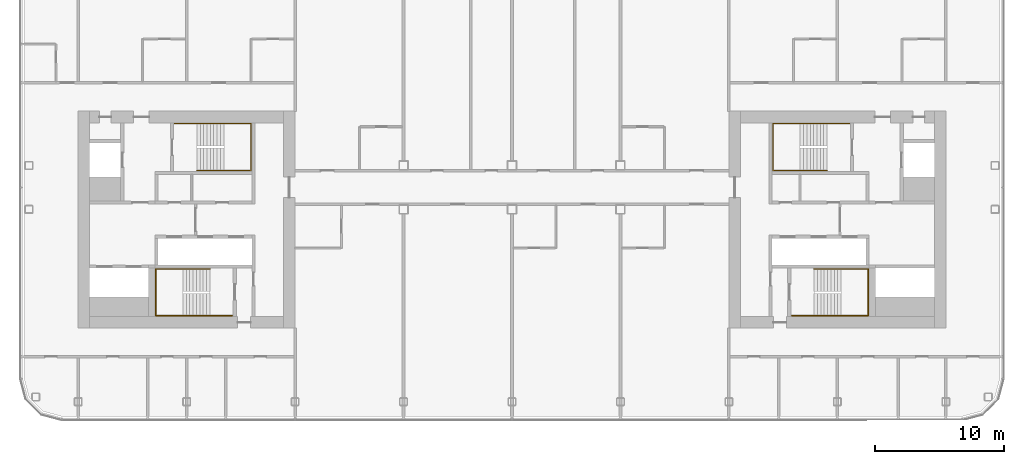
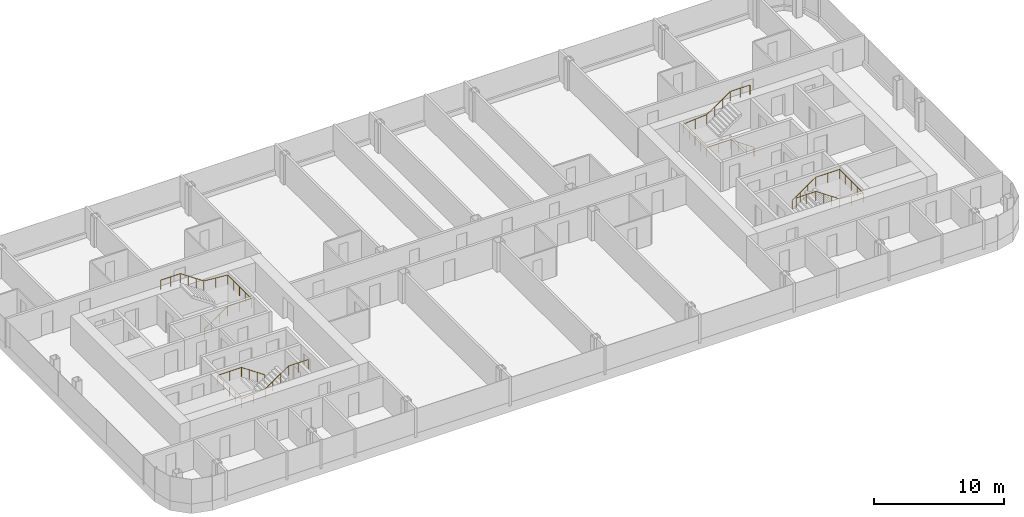
# One storey, part 25 of 25: 4 railings.
"""IFC4 building model written with IfcOpenShell, lengths in metres."""

from ifc_helpers import new_model, si_unit, direction, frame, origin, origin_2d, place, context, subcontext, project, spatial, circle, extrude, material, type_object, element, save


model = new_model("IFC4")

# Units and contexts
model_context = context("Model", 3, precision=1e-05, world=origin(), true_north=direction((0.0, 1.0)))
body_context = subcontext(model_context, "Body", "Model", "MODEL_VIEW")
ifc_project = project(units=[si_unit("LENGTHUNIT", "METRE"), si_unit("AREAUNIT", "SQUARE_METRE"), si_unit("VOLUMEUNIT", "CUBIC_METRE"), si_unit("PLANEANGLEUNIT", "RADIAN"), si_unit("MASSUNIT", "GRAM", prefix="KILO")], contexts=[model_context])

# Site, building, storey
site_placement = place(None, origin())
site = spatial("IfcSite", under=ifc_project, at=site_placement, CompositionType="ELEMENT")
building_placement = place(site_placement, origin())
building = spatial("IfcBuilding", under=site, at=building_placement, Name="Hakoniwa Tower and Hamabe Station Hall", CompositionType="ELEMENT")
storey_placement = place(building_placement, frame((0.0, 0.0, 186.60009765625)))
storey = spatial("IfcBuildingStorey", under=building, at=storey_placement, Name="L52", CompositionType="ELEMENT", Elevation=186.60009765625)

# Railings
ifc_material = material(Name="Stainless steel SUS304", Category="steel")
railing_type = type_object("IfcRailingType", Name="STAIR HANDRAIL 900", PredefinedType="HANDRAIL", material=ifc_material)
railing_1_placement = place(storey_placement, frame((-24.39990234375, 3.81005859375, 0.177734375)))
element("IfcRailing", 1, at=railing_1_placement, inside=storey, type_object=railing_type, Name="Handrail ST-1 L52 1", PredefinedType="HANDRAIL", context=body_context, shape_type="SweptSolid", body=[
    extrude(circle(Radius=0.02392578125, at=origin_2d()), frame((0.0, 0.0, 0.8759765625), z_axis=(0.825478349766, 0.0, 0.564433781827), x_axis=(0.0, 1.0, 0.0)), (0.0, 0.0, 1.0), 2.51953125),
    extrude(circle(Radius=0.02392578125, at=origin_2d()), frame((2.079833984375, 0.0, 2.2978515625), z_axis=(1.0, 0.0, 0.0), x_axis=(0.0, 1.0, 0.0)), (0.0, 0.0, 1.0), 2.110107421875),
    extrude(circle(Radius=0.02392578125, at=origin_2d()), frame((4.18994140625, 0.0, 2.2978515625), z_axis=(0.0, 1.0, 0.0), x_axis=(-1.0, 0.0, 0.0)), (0.0, 0.0, 1.0), 3.6298828125),
    extrude(circle(Radius=0.02392578125, at=origin_2d()), frame((4.18994140625, 3.6298828125, 2.2978515625), z_axis=(-0.996471417081, 0.0, 0.083932800143), x_axis=(0.0, -1.0, 0.0)), (0.0, 0.0, 1.0), 2.11767578125),
    extrude(circle(Radius=0.02392578125, at=origin_2d()), frame((2.079833984375, 3.6298828125, 2.4755859375), z_axis=(-0.825433201882, 0.0, 0.564499804456), x_axis=(0.0, -1.0, 0.0)), (0.0, 0.0, 1.0), 2.519775390625),
    extrude(circle(Radius=0.02392578125, at=origin_2d()), frame((0.0, 3.6298828125, 3.89794921875), z_axis=(-1.0, 0.0, 0.0), x_axis=(0.0, -1.0, 0.0)), (0.0, 0.0, 1.0), 1.739990234375),
    extrude(circle(Radius=0.02099609375, at=origin_2d()), origin(), (0.0, 0.0, 1.0), 0.851806640625),
    extrude(circle(Radius=0.02099609375, at=origin_2d()), frame((0.693359375, 0.0, 0.47412109375)), (0.0, 0.0, 1.0), 0.851806640625),
    extrude(circle(Radius=0.02099609375, at=origin_2d()), frame((1.386474609375, 0.0, 0.947998046875)), (0.0, 0.0, 1.0), 0.851806640625),
    extrude(circle(Radius=0.02099609375, at=origin_2d()), frame((2.079833984375, 0.0, 1.422119140625)), (0.0, 0.0, 1.0), 0.851806640625),
    extrude(circle(Radius=0.02099609375, at=origin_2d()), frame((3.134765625, 0.0, 1.422119140625)), (0.0, 0.0, 1.0), 0.851806640625),
    extrude(circle(Radius=0.02099609375, at=origin_2d()), frame((4.18994140625, 0.0, 1.422119140625)), (0.0, 0.0, 1.0), 0.851806640625),
    extrude(circle(Radius=0.02099609375, at=origin_2d()), frame((4.18994140625, 0.907470703125, 1.422119140625)), (0.0, 0.0, 1.0), 0.851806640625),
    extrude(circle(Radius=0.02099609375, at=origin_2d()), frame((4.18994140625, 1.81494140625, 1.422119140625)), (0.0, 0.0, 1.0), 0.851806640625),
    extrude(circle(Radius=0.02099609375, at=origin_2d()), frame((4.18994140625, 2.722412109375, 1.422119140625)), (0.0, 0.0, 1.0), 0.851806640625),
    extrude(circle(Radius=0.02099609375, at=origin_2d()), frame((4.18994140625, 3.6298828125, 1.422119140625)), (0.0, 0.0, 1.0), 0.851806640625),
    extrude(circle(Radius=0.02099609375, at=origin_2d()), frame((3.134765625, 3.6298828125, 1.510986328125)), (0.0, 0.0, 1.0), 0.851806640625),
    extrude(circle(Radius=0.02099609375, at=origin_2d()), frame((2.079833984375, 3.6298828125, 1.599853515625)), (0.0, 0.0, 1.0), 0.851806640625),
    extrude(circle(Radius=0.02099609375, at=origin_2d()), frame((1.386474609375, 3.6298828125, 2.073974609375)), (0.0, 0.0, 1.0), 0.851806640625),
    extrude(circle(Radius=0.02099609375, at=origin_2d()), frame((0.693359375, 3.6298828125, 2.548095703125)), (0.0, 0.0, 1.0), 0.851806640625),
    extrude(circle(Radius=0.02099609375, at=origin_2d()), frame((0.0, 3.6298828125, 3.022216796875)), (0.0, 0.0, 1.0), 0.851806640625),
    extrude(circle(Radius=0.02099609375, at=origin_2d()), frame((-0.8701171875, 3.6298828125, 3.022216796875)), (0.0, 0.0, 1.0), 0.851806640625),
    extrude(circle(Radius=0.02099609375, at=origin_2d()), frame((-1.739990234375, 3.6298828125, 3.022216796875)), (0.0, 0.0, 1.0), 0.851806640625),
])
railing_2_placement = place(storey_placement, frame((-23.39990234375, -3.81005859375, 0.177734375)))
element("IfcRailing", 2, at=railing_2_placement, inside=storey, type_object=railing_type, Name="Handrail ST-2 L52 1", PredefinedType="HANDRAIL", context=body_context, shape_type="SweptSolid", body=[
    extrude(circle(Radius=0.02392578125, at=origin_2d()), frame((0.0, 0.0, 0.8759765625), z_axis=(-0.82550921652, 0.0, 0.564388636881), x_axis=(0.0, -1.0, 0.0)), (0.0, 0.0, 1.0), 2.519775390625),
    extrude(circle(Radius=0.02392578125, at=origin_2d()), frame((-2.080078125, 0.0, 2.2978515625), z_axis=(-1.0, 0.0, 0.0), x_axis=(0.0, -1.0, 0.0)), (0.0, 0.0, 1.0), 2.110107421875),
    extrude(circle(Radius=0.02392578125, at=origin_2d()), frame((-4.190185546875, 0.0, 2.2978515625), z_axis=(0.0, -1.0, 0.0), x_axis=(1.0, 0.0, 0.0)), (0.0, 0.0, 1.0), 3.6298828125),
    extrude(circle(Radius=0.02392578125, at=origin_2d()), frame((-4.190185546875, -3.6298828125, 2.2978515625), z_axis=(0.996471417081, 0.0, 0.083932800143), x_axis=(0.0, 1.0, 0.0)), (0.0, 0.0, 1.0), 2.11767578125),
    extrude(circle(Radius=0.02392578125, at=origin_2d()), frame((-2.080078125, -3.6298828125, 2.4755859375), z_axis=(0.825464074169, 0.0, 0.564454659168), x_axis=(0.0, 1.0, 0.0)), (0.0, 0.0, 1.0), 2.519775390625),
    extrude(circle(Radius=0.02392578125, at=origin_2d()), frame((0.0, -3.6298828125, 3.89794921875), z_axis=(1.0, 0.0, 0.0), x_axis=(0.0, 1.0, 0.0)), (0.0, 0.0, 1.0), 1.739990234375),
    extrude(circle(Radius=0.02099609375, at=origin_2d()), origin(), (0.0, 0.0, 1.0), 0.851806640625),
    extrude(circle(Radius=0.02099609375, at=origin_2d()), frame((-0.693359375, 0.0, 0.47412109375)), (0.0, 0.0, 1.0), 0.851806640625),
    extrude(circle(Radius=0.02099609375, at=origin_2d()), frame((-1.38671875, 0.0, 0.947998046875)), (0.0, 0.0, 1.0), 0.851806640625),
    extrude(circle(Radius=0.02099609375, at=origin_2d()), frame((-2.080078125, 0.0, 1.422119140625)), (0.0, 0.0, 1.0), 0.851806640625),
    extrude(circle(Radius=0.02099609375, at=origin_2d()), frame((-3.13525390625, 0.0, 1.422119140625)), (0.0, 0.0, 1.0), 0.851806640625),
    extrude(circle(Radius=0.02099609375, at=origin_2d()), frame((-4.190185546875, 0.0, 1.422119140625)), (0.0, 0.0, 1.0), 0.851806640625),
    extrude(circle(Radius=0.02099609375, at=origin_2d()), frame((-4.190185546875, -0.907470703125, 1.422119140625)), (0.0, 0.0, 1.0), 0.851806640625),
    extrude(circle(Radius=0.02099609375, at=origin_2d()), frame((-4.190185546875, -1.81494140625, 1.422119140625)), (0.0, 0.0, 1.0), 0.851806640625),
    extrude(circle(Radius=0.02099609375, at=origin_2d()), frame((-4.190185546875, -2.722412109375, 1.422119140625)), (0.0, 0.0, 1.0), 0.851806640625),
    extrude(circle(Radius=0.02099609375, at=origin_2d()), frame((-4.190185546875, -3.6298828125, 1.422119140625)), (0.0, 0.0, 1.0), 0.851806640625),
    extrude(circle(Radius=0.02099609375, at=origin_2d()), frame((-3.13525390625, -3.6298828125, 1.510986328125)), (0.0, 0.0, 1.0), 0.851806640625),
    extrude(circle(Radius=0.02099609375, at=origin_2d()), frame((-2.080078125, -3.6298828125, 1.599853515625)), (0.0, 0.0, 1.0), 0.851806640625),
    extrude(circle(Radius=0.02099609375, at=origin_2d()), frame((-1.38671875, -3.6298828125, 2.073974609375)), (0.0, 0.0, 1.0), 0.851806640625),
    extrude(circle(Radius=0.02099609375, at=origin_2d()), frame((-0.693359375, -3.6298828125, 2.548095703125)), (0.0, 0.0, 1.0), 0.851806640625),
    extrude(circle(Radius=0.02099609375, at=origin_2d()), frame((0.0, -3.6298828125, 3.022216796875)), (0.0, 0.0, 1.0), 0.851806640625),
    extrude(circle(Radius=0.02099609375, at=origin_2d()), frame((0.8701171875, -3.6298828125, 3.022216796875)), (0.0, 0.0, 1.0), 0.851806640625),
    extrude(circle(Radius=0.02099609375, at=origin_2d()), frame((1.739990234375, -3.6298828125, 3.022216796875)), (0.0, 0.0, 1.0), 0.851806640625),
])
railing_3_placement = place(storey_placement, frame((24.39990234375, 3.81005859375, 0.177734375)))
element("IfcRailing", 3, at=railing_3_placement, inside=storey, type_object=railing_type, Name="Handrail ST-3 L52 1", PredefinedType="HANDRAIL", context=body_context, shape_type="SweptSolid", body=[
    extrude(circle(Radius=0.02392578125, at=origin_2d()), frame((0.0, 0.0, 0.8759765625), z_axis=(-0.825478349766, 0.0, 0.564433781827), x_axis=(0.0, -1.0, 0.0)), (0.0, 0.0, 1.0), 2.51953125),
    extrude(circle(Radius=0.02392578125, at=origin_2d()), frame((-2.079833984375, 0.0, 2.2978515625), z_axis=(-1.0, 0.0, 0.0), x_axis=(0.0, -1.0, 0.0)), (0.0, 0.0, 1.0), 2.110107421875),
    extrude(circle(Radius=0.02392578125, at=origin_2d()), frame((-4.18994140625, 0.0, 2.2978515625), z_axis=(0.0, 1.0, 0.0), x_axis=(-1.0, 0.0, 0.0)), (0.0, 0.0, 1.0), 3.6298828125),
    extrude(circle(Radius=0.02392578125, at=origin_2d()), frame((-4.18994140625, 3.6298828125, 2.2978515625), z_axis=(0.996471417081, 0.0, 0.083932800143), x_axis=(0.0, 1.0, 0.0)), (0.0, 0.0, 1.0), 2.11767578125),
    extrude(circle(Radius=0.02392578125, at=origin_2d()), frame((-2.079833984375, 3.6298828125, 2.4755859375), z_axis=(0.825433201882, 0.0, 0.564499804456), x_axis=(0.0, 1.0, 0.0)), (0.0, 0.0, 1.0), 2.519775390625),
    extrude(circle(Radius=0.02392578125, at=origin_2d()), frame((0.0, 3.6298828125, 3.89794921875), z_axis=(1.0, 0.0, 0.0), x_axis=(0.0, 1.0, 0.0)), (0.0, 0.0, 1.0), 1.739990234375),
    extrude(circle(Radius=0.02099609375, at=origin_2d()), origin(), (0.0, 0.0, 1.0), 0.851806640625),
    extrude(circle(Radius=0.02099609375, at=origin_2d()), frame((-0.693359375, 0.0, 0.47412109375)), (0.0, 0.0, 1.0), 0.851806640625),
    extrude(circle(Radius=0.02099609375, at=origin_2d()), frame((-1.386474609375, 0.0, 0.947998046875)), (0.0, 0.0, 1.0), 0.851806640625),
    extrude(circle(Radius=0.02099609375, at=origin_2d()), frame((-2.079833984375, 0.0, 1.422119140625)), (0.0, 0.0, 1.0), 0.851806640625),
    extrude(circle(Radius=0.02099609375, at=origin_2d()), frame((-3.134765625, 0.0, 1.422119140625)), (0.0, 0.0, 1.0), 0.851806640625),
    extrude(circle(Radius=0.02099609375, at=origin_2d()), frame((-4.18994140625, 0.0, 1.422119140625)), (0.0, 0.0, 1.0), 0.851806640625),
    extrude(circle(Radius=0.02099609375, at=origin_2d()), frame((-4.18994140625, 0.907470703125, 1.422119140625)), (0.0, 0.0, 1.0), 0.851806640625),
    extrude(circle(Radius=0.02099609375, at=origin_2d()), frame((-4.18994140625, 1.81494140625, 1.422119140625)), (0.0, 0.0, 1.0), 0.851806640625),
    extrude(circle(Radius=0.02099609375, at=origin_2d()), frame((-4.18994140625, 2.722412109375, 1.422119140625)), (0.0, 0.0, 1.0), 0.851806640625),
    extrude(circle(Radius=0.02099609375, at=origin_2d()), frame((-4.18994140625, 3.6298828125, 1.422119140625)), (0.0, 0.0, 1.0), 0.851806640625),
    extrude(circle(Radius=0.02099609375, at=origin_2d()), frame((-3.134765625, 3.6298828125, 1.510986328125)), (0.0, 0.0, 1.0), 0.851806640625),
    extrude(circle(Radius=0.02099609375, at=origin_2d()), frame((-2.079833984375, 3.6298828125, 1.599853515625)), (0.0, 0.0, 1.0), 0.851806640625),
    extrude(circle(Radius=0.02099609375, at=origin_2d()), frame((-1.386474609375, 3.6298828125, 2.073974609375)), (0.0, 0.0, 1.0), 0.851806640625),
    extrude(circle(Radius=0.02099609375, at=origin_2d()), frame((-0.693359375, 3.6298828125, 2.548095703125)), (0.0, 0.0, 1.0), 0.851806640625),
    extrude(circle(Radius=0.02099609375, at=origin_2d()), frame((0.0, 3.6298828125, 3.022216796875)), (0.0, 0.0, 1.0), 0.851806640625),
    extrude(circle(Radius=0.02099609375, at=origin_2d()), frame((0.8701171875, 3.6298828125, 3.022216796875)), (0.0, 0.0, 1.0), 0.851806640625),
    extrude(circle(Radius=0.02099609375, at=origin_2d()), frame((1.739990234375, 3.6298828125, 3.022216796875)), (0.0, 0.0, 1.0), 0.851806640625),
])
railing_4_placement = place(storey_placement, frame((23.39990234375, -3.81005859375, 0.177734375)))
element("IfcRailing", 4, at=railing_4_placement, inside=storey, type_object=railing_type, Name="Handrail ST-4 L52 1", PredefinedType="HANDRAIL", context=body_context, shape_type="SweptSolid", body=[
    extrude(circle(Radius=0.02392578125, at=origin_2d()), frame((0.0, 0.0, 0.8759765625), z_axis=(0.82550921652, 0.0, 0.564388636881), x_axis=(0.0, 1.0, 0.0)), (0.0, 0.0, 1.0), 2.519775390625),
    extrude(circle(Radius=0.02392578125, at=origin_2d()), frame((2.080078125, 0.0, 2.2978515625), z_axis=(1.0, 0.0, 0.0), x_axis=(0.0, 1.0, 0.0)), (0.0, 0.0, 1.0), 2.110107421875),
    extrude(circle(Radius=0.02392578125, at=origin_2d()), frame((4.190185546875, 0.0, 2.2978515625), z_axis=(0.0, -1.0, 0.0), x_axis=(1.0, 0.0, 0.0)), (0.0, 0.0, 1.0), 3.6298828125),
    extrude(circle(Radius=0.02392578125, at=origin_2d()), frame((4.190185546875, -3.6298828125, 2.2978515625), z_axis=(-0.996471417081, 0.0, 0.083932800143), x_axis=(0.0, -1.0, 0.0)), (0.0, 0.0, 1.0), 2.11767578125),
    extrude(circle(Radius=0.02392578125, at=origin_2d()), frame((2.080078125, -3.6298828125, 2.4755859375), z_axis=(-0.825464074169, 0.0, 0.564454659168), x_axis=(0.0, -1.0, 0.0)), (0.0, 0.0, 1.0), 2.519775390625),
    extrude(circle(Radius=0.02392578125, at=origin_2d()), frame((0.0, -3.6298828125, 3.89794921875), z_axis=(-1.0, 0.0, 0.0), x_axis=(0.0, -1.0, 0.0)), (0.0, 0.0, 1.0), 1.739990234375),
    extrude(circle(Radius=0.02099609375, at=origin_2d()), origin(), (0.0, 0.0, 1.0), 0.851806640625),
    extrude(circle(Radius=0.02099609375, at=origin_2d()), frame((0.693359375, 0.0, 0.47412109375)), (0.0, 0.0, 1.0), 0.851806640625),
    extrude(circle(Radius=0.02099609375, at=origin_2d()), frame((1.38671875, 0.0, 0.947998046875)), (0.0, 0.0, 1.0), 0.851806640625),
    extrude(circle(Radius=0.02099609375, at=origin_2d()), frame((2.080078125, 0.0, 1.422119140625)), (0.0, 0.0, 1.0), 0.851806640625),
    extrude(circle(Radius=0.02099609375, at=origin_2d()), frame((3.13525390625, 0.0, 1.422119140625)), (0.0, 0.0, 1.0), 0.851806640625),
    extrude(circle(Radius=0.02099609375, at=origin_2d()), frame((4.190185546875, 0.0, 1.422119140625)), (0.0, 0.0, 1.0), 0.851806640625),
    extrude(circle(Radius=0.02099609375, at=origin_2d()), frame((4.190185546875, -0.907470703125, 1.422119140625)), (0.0, 0.0, 1.0), 0.851806640625),
    extrude(circle(Radius=0.02099609375, at=origin_2d()), frame((4.190185546875, -1.81494140625, 1.422119140625)), (0.0, 0.0, 1.0), 0.851806640625),
    extrude(circle(Radius=0.02099609375, at=origin_2d()), frame((4.190185546875, -2.722412109375, 1.422119140625)), (0.0, 0.0, 1.0), 0.851806640625),
    extrude(circle(Radius=0.02099609375, at=origin_2d()), frame((4.190185546875, -3.6298828125, 1.422119140625)), (0.0, 0.0, 1.0), 0.851806640625),
    extrude(circle(Radius=0.02099609375, at=origin_2d()), frame((3.13525390625, -3.6298828125, 1.510986328125)), (0.0, 0.0, 1.0), 0.851806640625),
    extrude(circle(Radius=0.02099609375, at=origin_2d()), frame((2.080078125, -3.6298828125, 1.599853515625)), (0.0, 0.0, 1.0), 0.851806640625),
    extrude(circle(Radius=0.02099609375, at=origin_2d()), frame((1.38671875, -3.6298828125, 2.073974609375)), (0.0, 0.0, 1.0), 0.851806640625),
    extrude(circle(Radius=0.02099609375, at=origin_2d()), frame((0.693359375, -3.6298828125, 2.548095703125)), (0.0, 0.0, 1.0), 0.851806640625),
    extrude(circle(Radius=0.02099609375, at=origin_2d()), frame((0.0, -3.6298828125, 3.022216796875)), (0.0, 0.0, 1.0), 0.851806640625),
    extrude(circle(Radius=0.02099609375, at=origin_2d()), frame((-0.8701171875, -3.6298828125, 3.022216796875)), (0.0, 0.0, 1.0), 0.851806640625),
    extrude(circle(Radius=0.02099609375, at=origin_2d()), frame((-1.739990234375, -3.6298828125, 3.022216796875)), (0.0, 0.0, 1.0), 0.851806640625),
])

save(model, "model.ifc")
